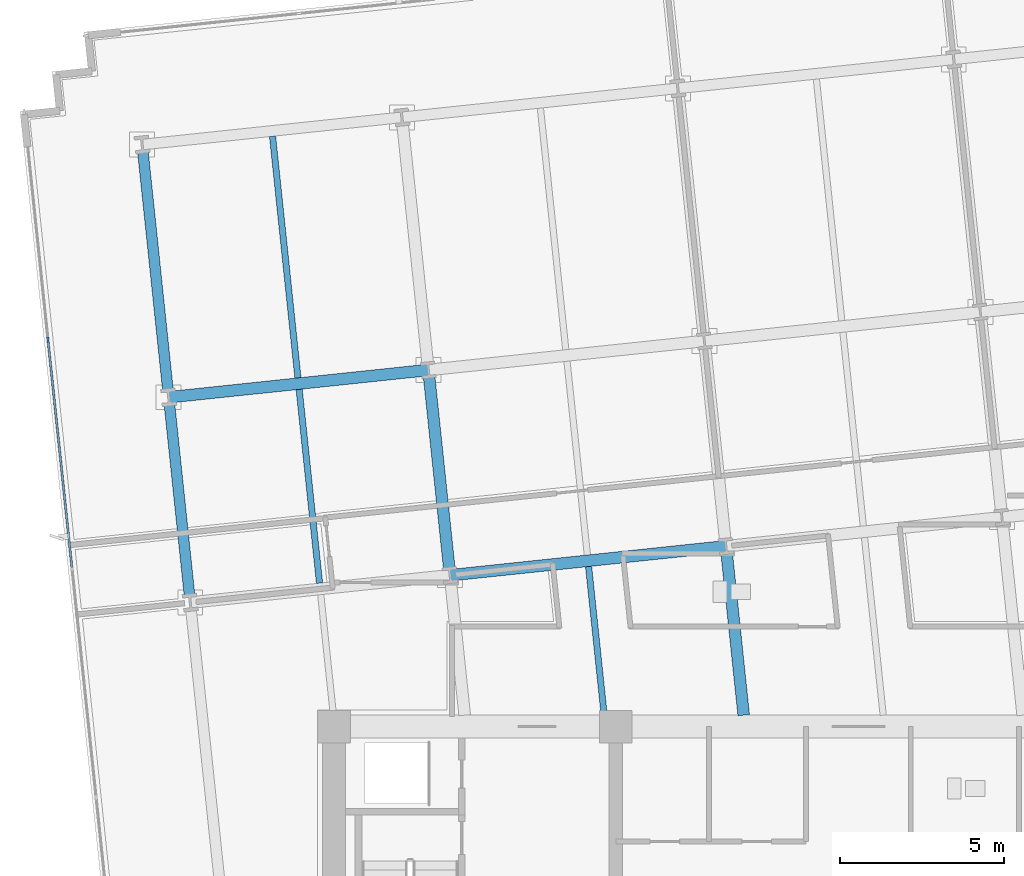
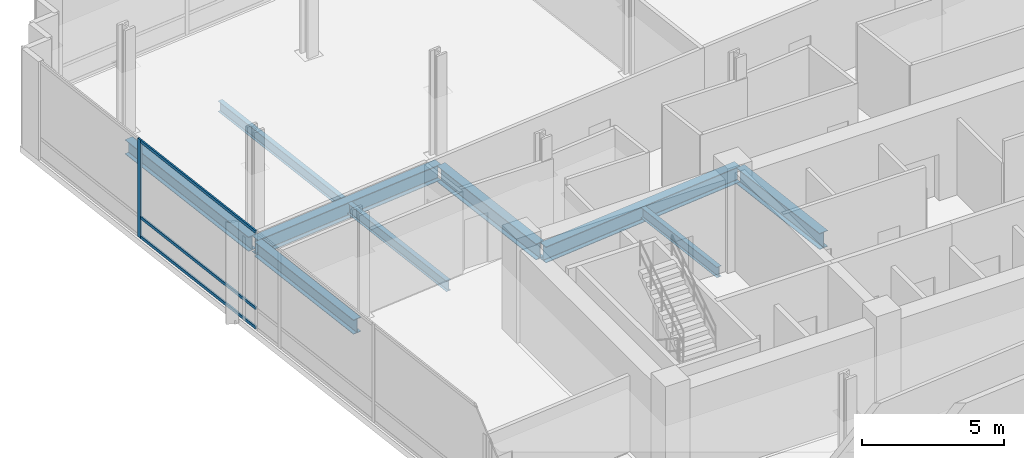
# One storey, part 4 of 20: 9 beams, 4 members, 1 element without a shape of its own.
"""IFC4 building model written with IfcOpenShell, lengths in metres."""

import ifcopenshell
import ifcopenshell.guid

model = None  # the IFC model being written
_history = None  # IfcOwnerHistory: only IFC2X3 demands one
_inside = {}  # id of a spatial element -> (the spatial element, [elements in it])
_under = {}  # id of a project, library or spatial element -> (it, [spatial elements below it])
_declared = {}  # id of a project -> (the project, [libraries it declares])
_typed = {}  # id of a type object -> (the type object, [elements of that type])
_made_of = {}  # id of a material, layer set ... -> (it, [elements and type objects made of it])


def new_model(schema):
    """Start an empty IFC model of exactly this schema.

    Asked for "IFC4X3", IfcOpenShell would pick the latest addendum, in which some entities
    have other attributes; the version numbers below select the first issue.
    IFC2X3 requires an IfcOwnerHistory on every rooted entity: one is made here for all.
    """
    global model, _history
    if schema == "IFC4X3":
        model = ifcopenshell.file(schema_version=(4, 3, 0, 0))
    else:
        model = ifcopenshell.file(schema=schema)
    _inside.clear()
    _under.clear()
    _declared.clear()
    _typed.clear()
    _made_of.clear()
    _history = None
    if model.schema == "IFC2X3":
        org = make("IfcOrganization", Name="unknown")
        user = make(
            "IfcPersonAndOrganization",
            ThePerson=make("IfcPerson", FamilyName="unknown"),
            TheOrganization=org,
        )
        app = make(
            "IfcApplication",
            ApplicationDeveloper=org,
            Version="unknown",
            ApplicationFullName="unknown",
            ApplicationIdentifier="unknown",
        )
        _history = make(
            "IfcOwnerHistory",
            OwningUser=user,
            OwningApplication=app,
            ChangeAction="ADDED",
            CreationDate=0,
        )
    return model


def make(cls, **values):
    """One entity of the class cls with the attributes given. An attribute that is None is left unset."""
    return model.create_entity(
        cls, **{name: value for name, value in values.items() if value is not None}
    )


def rooted(cls, **values):
    """An entity with a GlobalId (a new one), such as an element, a storey or a relation."""
    return make(cls, GlobalId=ifcopenshell.guid.new(), OwnerHistory=_history, **values)


def si_unit(unit_type, name, prefix=None):
    """IfcSIUnit, for example si_unit("LENGTHUNIT", "METRE", prefix="MILLI")."""
    return make("IfcSIUnit", UnitType=unit_type, Prefix=prefix, Name=name)


def assignment(units):
    """IfcUnitAssignment: the units of a project."""
    return None if units is None else make("IfcUnitAssignment", Units=units)


def point(xyz):
    """IfcCartesianPoint."""
    return None if xyz is None else make("IfcCartesianPoint", Coordinates=xyz)


def direction(xyz):
    """IfcDirection."""
    return None if xyz is None else make("IfcDirection", DirectionRatios=xyz)


def frame(location, z_axis=None, x_axis=None):
    """IfcAxis2Placement3D, a coordinate frame: its origin and axes. An axis left out is left unset."""
    return make(
        "IfcAxis2Placement3D",
        Location=point(location),
        Axis=direction(z_axis),
        RefDirection=direction(x_axis),
    )


def frame_2d(location, x_axis=None):
    """IfcAxis2Placement2D, a coordinate frame in the plane: its origin and x axis."""
    return make(
        "IfcAxis2Placement2D", Location=point(location), RefDirection=direction(x_axis)
    )


def origin():
    """The frame at (0, 0, 0) with its axes left unset."""
    return frame((0.0, 0.0, 0.0))


def origin_2d():
    """The frame at (0, 0) in the plane with its x axis left unset."""
    return frame_2d((0.0, 0.0))


def place(relative_to, where):
    """IfcLocalPlacement: puts the frame where relative to a parent placement (None: the world)."""
    return make(
        "IfcLocalPlacement", PlacementRelTo=relative_to, RelativePlacement=where
    )


def context(
    kind, dimensions, precision=None, world=None, true_north=None, identifier=None
):
    """IfcGeometricRepresentationContext, for example the 3D "Model" context."""
    return make(
        "IfcGeometricRepresentationContext",
        ContextIdentifier=identifier,
        ContextType=kind,
        CoordinateSpaceDimension=dimensions,
        Precision=precision,
        WorldCoordinateSystem=world,
        TrueNorth=true_north,
    )


def subcontext(parent, identifier, kind, view, scale=None):
    """IfcGeometricRepresentationSubContext, for example "Body" below "Model"."""
    return make(
        "IfcGeometricRepresentationSubContext",
        ContextIdentifier=identifier,
        ContextType=kind,
        ParentContext=parent,
        TargetScale=scale,
        TargetView=view,
    )


def project(units=None, contexts=None):
    """IfcProject with its units and contexts."""
    return rooted(
        "IfcProject",
        Name="project",
        RepresentationContexts=contexts,
        UnitsInContext=assignment(units),
    )


def spatial(cls, under=None, at=None, **own):
    """A site, building, storey or space (cls), placed at a placement, below another one or the project."""
    s = rooted(cls, ObjectPlacement=at, **own)
    if under is not None:
        _under.setdefault(under.id(), (under, []))[1].append(s)
    return s


def profile(cls, at=None, kind="AREA", **sizes):
    """A parametric profile (cls). Its sizes go by their IFC names, for example OverallWidth=200.0."""
    return make(cls, ProfileType=kind, Position=at, **sizes)


def rectangle(**sizes):
    """IfcRectangleProfileDef."""
    return profile("IfcRectangleProfileDef", **sizes)


def i_section(**sizes):
    """IfcIShapeProfileDef."""
    return profile("IfcIShapeProfileDef", **sizes)


def extrude(swept, where, along, depth):
    """IfcExtrudedAreaSolid: the profile swept, set in the frame where, extruded along a direction by depth."""
    return make(
        "IfcExtrudedAreaSolid",
        SweptArea=swept,
        Position=where,
        ExtrudedDirection=direction(along),
        Depth=depth,
    )


def shape(context_of_items, identifier, shape_type, items):
    """IfcShapeRepresentation: the items that make up one representation, for example the "Body"."""
    return make(
        "IfcShapeRepresentation",
        ContextOfItems=context_of_items,
        RepresentationIdentifier=identifier,
        RepresentationType=shape_type,
        Items=items,
    )


def material(Name=None, Category=None):
    """IfcMaterial."""
    return make("IfcMaterial", Name=Name, Category=Category)


def material_profile(
    of_material, cross_section, Name=None, Category=None, Priority=None
):
    """IfcMaterialProfile: a cross section and its material."""
    return make(
        "IfcMaterialProfile",
        Name=Name,
        Material=of_material,
        Profile=cross_section,
        Priority=Priority,
        Category=Category,
    )


def profile_set(profiles, Name=None, composite=None):
    """IfcMaterialProfileSet."""
    return make(
        "IfcMaterialProfileSet",
        Name=Name,
        MaterialProfiles=profiles,
        CompositeProfile=composite,
    )


def made_of(thing, what):
    """Note that an element or type object is made of a material, layer set ...; save() writes the relation."""
    if what is not None:
        _made_of.setdefault(what.id(), (what, []))[1].append(thing)
    return thing


def type_object(cls, material=None, **own):
    """A type object (cls), such as IfcWallType, which elements share."""
    return made_of(rooted(cls, **own), material)


def element(
    cls,
    number,
    at=None,
    inside=None,
    cuts=None,
    type_object=None,
    material=None,
    context=None,
    identifier="Body",
    shape_type=None,
    held_by="IfcProductDefinitionShape",
    body=None,
    shapes=None,
    **own,
):
    """One element of the class cls, such as IfcWall. Its Tag is "e" and its number.

    at: its placement. inside: the storey or other place that contains it. cuts: it is an
    opening in that element (IfcRelVoidsElement). A single representation is given by context,
    identifier, shape_type and body (its items); several are given by shapes. held_by: the class
    of the entity that holds the representations. save() writes the other relations.
    """
    e = rooted(cls, Tag="e%d" % number, ObjectPlacement=at, **own)
    if body is not None:
        shapes = [shape(context, identifier, shape_type, body)]
    if shapes is not None:
        e.Representation = make(held_by, Representations=shapes)
    if inside is not None:
        _inside.setdefault(inside.id(), (inside, []))[1].append(e)
    if cuts is not None:
        rooted(
            "IfcRelVoidsElement", RelatingBuildingElement=cuts, RelatedOpeningElement=e
        )
    if type_object is not None:
        _typed.setdefault(type_object.id(), (type_object, []))[1].append(e)
    return made_of(e, material)


def aggregate(whole, parts):
    """IfcRelAggregates: a whole, such as a stair, and the parts it consists of."""
    return rooted("IfcRelAggregates", RelatingObject=whole, RelatedObjects=parts)


def save(model, path):
    """Write the relations noted so far, then the file.

    IfcRelAggregates (storeys below a building ...), IfcRelContainedInSpatialStructure (elements
    in a storey), IfcRelDefinesByType, IfcRelAssociatesMaterial and IfcRelDeclares: one each for
    every whole, place, type object, material and project.
    """
    for whole, parts in _under.values():
        aggregate(whole, parts)
    for where, things in _inside.values():
        rooted(
            "IfcRelContainedInSpatialStructure",
            RelatedElements=things,
            RelatingStructure=where,
        )
    for kind, things in _typed.values():
        rooted("IfcRelDefinesByType", RelatedObjects=things, RelatingType=kind)
    for what, things in _made_of.values():
        rooted("IfcRelAssociatesMaterial", RelatedObjects=things, RelatingMaterial=what)
    for by, libraries in _declared.values():
        rooted("IfcRelDeclares", RelatingContext=by, RelatedDefinitions=libraries)
    model.write(path)


model = new_model("IFC4")

# Units and contexts
model_context = context("Model", 3, precision=1e-05, world=origin(), true_north=direction((0.0, 1.0)))
body_context = subcontext(model_context, "Body", "Model", "MODEL_VIEW")
ifc_project = project(units=[si_unit("LENGTHUNIT", "METRE"), si_unit("AREAUNIT", "SQUARE_METRE"), si_unit("VOLUMEUNIT", "CUBIC_METRE"), si_unit("PLANEANGLEUNIT", "RADIAN"), si_unit("MASSUNIT", "GRAM", prefix="KILO")], contexts=[model_context])

# Site, building, storey
site_placement = place(None, origin())
site = spatial("IfcSite", under=ifc_project, at=site_placement, CompositionType="ELEMENT")
building_placement = place(site_placement, origin())
building = spatial("IfcBuilding", under=site, at=building_placement, Name="Solmavex Isthmus Hotel", CompositionType="ELEMENT")
storey_placement = place(building_placement, frame((0.0, 0.0, 97.35009765625)))
storey = spatial("IfcBuildingStorey", under=building, at=storey_placement, Name="L26", CompositionType="ELEMENT", Elevation=97.35009765625)

# Beams
ifc_material_1 = material(Name="Steel ASTM A992 Grade 50", Category="steel")
ifc_material_profile_1 = material_profile(ifc_material_1, i_section(OverallWidth=0.354736328125, OverallDepth=0.695556640625, WebThickness=0.015380859375, FlangeThickness=0.02490234375, FilletRadius=0.017822265625, at=origin_2d()), Name="W27X146")
ifc_profile_set_1 = profile_set([ifc_material_profile_1], Name="Steel ASTM A992 Grade 50")
beam_type_1 = type_object("IfcBeamType", Name="BM-BG-W27X146", PredefinedType="BEAM", material=ifc_profile_set_1)
beam_1_placement = place(storey_placement, frame((-12.458740234375, 2.11865234375, -0.60791015625), z_axis=(0.994521085209, 0.104536171134, 0.0), x_axis=(-0.104536171134, 0.994521085209, 0.0)))
element("IfcBeam", 1, at=beam_1_placement, inside=storey, type_object=beam_type_1, Name="Floor Girder L26-UG08", PredefinedType="BEAM", context=body_context, shape_type="SweptSolid", body=[
    extrude(i_section(OverallWidth=0.354736328125, OverallDepth=0.695556640625, WebThickness=0.015380859375, FlangeThickness=0.02490234375, FilletRadius=0.017822265625, at=origin_2d()), origin(), (0.0, 0.0, 1.0), 8.466064453125),
])
beam_2_placement = place(storey_placement, frame((-21.04150390625, 7.54931640625, -0.60791015625), z_axis=(0.994523402738, 0.104514120609, 0.0), x_axis=(-0.104514120609, 0.994523402738, 0.0)))
element("IfcBeam", 2, at=beam_2_placement, inside=storey, type_object=beam_type_1, Name="Floor Girder L26-UG13", PredefinedType="BEAM", context=body_context, shape_type="SweptSolid", body=[
    extrude(i_section(OverallWidth=0.354736328125, OverallDepth=0.695556640625, WebThickness=0.015380859375, FlangeThickness=0.02490234375, FilletRadius=0.017822265625, at=origin_2d()), origin(), (0.0, 0.0, 1.0), 7.968017578125),
])
beam_3_placement = place(storey_placement, frame((-12.477294921875, 2.295166015625, -0.60791015625), z_axis=(-0.104545790518, 0.994520074048, 0.0), x_axis=(-0.994520074048, -0.104545790518, 0.0)))
element("IfcBeam", 3, at=beam_3_placement, inside=storey, type_object=beam_type_1, Name="Floor Beam L26-VG30", PredefinedType="BEAM", context=body_context, shape_type="SweptSolid", body=[
    extrude(i_section(OverallWidth=0.354736328125, OverallDepth=0.695556640625, WebThickness=0.015380859375, FlangeThickness=0.02490234375, FilletRadius=0.017822265625, at=origin_2d()), origin(), (0.0, 0.0, 1.0), 5.943115234375),
])
beam_4_placement = place(storey_placement, frame((-3.49755859375, -2.14990234375, -0.60791015625), z_axis=(-0.104496861251, 0.994525216366, 0.0), x_axis=(-0.994525216366, -0.104496861251, 0.0)))
element("IfcBeam", 4, at=beam_4_placement, inside=storey, type_object=beam_type_1, Name="Floor Beam L26-VG33", PredefinedType="BEAM", context=body_context, shape_type="SweptSolid", body=[
    extrude(i_section(OverallWidth=0.354736328125, OverallDepth=0.695556640625, WebThickness=0.015380859375, FlangeThickness=0.02490234375, FilletRadius=0.017822265625, at=origin_2d()), origin(), (0.0, 0.0, 1.0), 5.00439453125),
])
ifc_material_profile_2 = material_profile(ifc_material_1, i_section(OverallWidth=0.1904296875, OverallDepth=0.456787109375, WebThickness=0.009033203125, FlangeThickness=0.014404296875, FilletRadius=0.0126953125, at=origin_2d()), Name="W18X50")
ifc_profile_set_2 = profile_set([ifc_material_profile_2], Name="Steel ASTM A992 Grade 50")
beam_type_2 = type_object("IfcBeamType", Name="BM-BJ-W18X50", PredefinedType="JOIST", material=ifc_profile_set_2)
beam_5_placement = place(storey_placement, frame((-16.439453125, 1.878662109375, -0.488525390625), z_axis=(-0.104545790518, 0.994520074048, 0.0), x_axis=(-0.994520074048, -0.104545790518, 0.0)))
element("IfcBeam", 5, at=beam_5_placement, inside=storey, type_object=beam_type_2, Name="Secondary Floor Joist L26-J03", PredefinedType="JOIST", context=body_context, shape_type="SweptSolid", body=[
    extrude(i_section(OverallWidth=0.1904296875, OverallDepth=0.456787109375, WebThickness=0.009033203125, FlangeThickness=0.014404296875, FilletRadius=0.0126953125, at=origin_2d()), origin(), (0.0, 0.0, 1.0), 5.943115234375),
])
beam_6_placement = place(storey_placement, frame((-17.097900390625, 8.14208984375, -0.488525390625), z_axis=(-0.104525307271, 0.994522227072, 0.0), x_axis=(-0.994522227072, -0.104525307271, 0.0)))
element("IfcBeam", 6, at=beam_6_placement, inside=storey, type_object=beam_type_2, Name="Secondary Floor Joist L26-J04", PredefinedType="JOIST", context=body_context, shape_type="SweptSolid", body=[
    extrude(i_section(OverallWidth=0.1904296875, OverallDepth=0.456787109375, WebThickness=0.009033203125, FlangeThickness=0.014404296875, FilletRadius=0.0126953125, at=origin_2d()), origin(), (0.0, 0.0, 1.0), 7.4111328125),
])
beam_7_placement = place(storey_placement, frame((-7.75390625, -2.14990234375, -0.488525390625), z_axis=(-0.104517550263, 0.994523042311, 0.0), x_axis=(-0.994523042311, -0.104517550263, 0.0)))
element("IfcBeam", 7, at=beam_7_placement, inside=storey, type_object=beam_type_2, Name="Secondary Floor Joist L26-J06", PredefinedType="JOIST", context=body_context, shape_type="SweptSolid", body=[
    extrude(i_section(OverallWidth=0.1904296875, OverallDepth=0.456787109375, WebThickness=0.009033203125, FlangeThickness=0.014404296875, FilletRadius=0.0126953125, at=origin_2d()), origin(), (0.0, 0.0, 1.0), 4.5595703125),
])
ifc_material_profile_3 = material_profile(ifc_material_1, i_section(OverallWidth=0.326416015625, OverallDepth=0.621826171875, WebThickness=0.015380859375, FlangeThickness=0.0244140625, FilletRadius=0.01513671875, at=origin_2d()), Name="W24X131")
ifc_profile_set_3 = profile_set([ifc_material_profile_3], Name="Steel ASTM A992 Grade 50")
beam_type_3 = type_object("IfcBeamType", Name="BM-SP-W24X131", PredefinedType="SPANDREL", material=ifc_profile_set_3)
beam_8_placement = place(storey_placement, frame((-20.401611328125, 1.462158203125, -0.571044921875), z_axis=(-0.104545790518, 0.994520074048, 0.0), x_axis=(-0.994520074048, -0.104545790518, 0.0)))
element("IfcBeam", 8, at=beam_8_placement, inside=storey, type_object=beam_type_3, Name="Floor Beam L26-VG26", PredefinedType="SPANDREL", context=body_context, shape_type="SweptSolid", body=[
    extrude(i_section(OverallWidth=0.326416015625, OverallDepth=0.621826171875, WebThickness=0.015380859375, FlangeThickness=0.0244140625, FilletRadius=0.01513671875, at=origin_2d()), origin(), (0.0, 0.0, 1.0), 5.943115234375),
])
beam_9_placement = place(storey_placement, frame((-21.06005859375, 7.7255859375, -0.571044921875), z_axis=(-0.10452188296, 0.994522586964, 0.0), x_axis=(-0.994522586964, -0.10452188296, 0.0)))
element("IfcBeam", 9, at=beam_9_placement, inside=storey, type_object=beam_type_3, Name="Floor Beam L26-VG27", PredefinedType="SPANDREL", context=body_context, shape_type="SweptSolid", body=[
    extrude(i_section(OverallWidth=0.326416015625, OverallDepth=0.621826171875, WebThickness=0.015380859375, FlangeThickness=0.0244140625, FilletRadius=0.01513671875, at=origin_2d()), origin(), (0.0, 0.0, 1.0), 7.411376953125),
])

# Curtain wall, members
ifc_material_2 = material(Name="Aluminium alloy 6063-T6", Category="aluminium")
curtain_wall_type = type_object("IfcCurtainWallType", Name="CW-SYS-05", PredefinedType="NOTDEFINED", material=ifc_material_2)
curtain_wall_placement = place(storey_placement, origin())
curtain_wall = element("IfcCurtainWall", 10, at=curtain_wall_placement, inside=storey, type_object=curtain_wall_type, Name="Stick Curtain Wall CWL-L26-W1", PredefinedType="NOTDEFINED")
ifc_material_profile_4 = material_profile(ifc_material_2, rectangle(XDim=0.06494140625, YDim=0.159912109375, at=origin_2d()), Name="CWM-65X160")
ifc_profile_set_4 = profile_set([ifc_material_profile_4], Name="Aluminium alloy 6063-T6")
member_type_1 = type_object("IfcMemberType", Name="CW-SYS-05-MUL", PredefinedType="MULLION", material=ifc_profile_set_4)
member_1_placement = place(storey_placement, frame((-24.725341796875, 9.305908203125, 0.0), z_axis=(0.0, 0.0, 1.0), x_axis=(-0.994521893044, -0.104528485381, 0.0)))
member_1 = element("IfcMember", 11, at=member_1_placement, type_object=member_type_1, Name="CW-05 mullion 5", PredefinedType="MULLION", context=body_context, shape_type="SweptSolid", body=[
    extrude(rectangle(XDim=0.06494140625, YDim=0.159912109375, at=origin_2d()), origin(), (0.0, 0.0, 1.0), 4.239990234375),
])
ifc_material_profile_5 = material_profile(ifc_material_2, rectangle(XDim=0.06494140625, YDim=0.125, at=origin_2d()), Name="CWT-65X125")
ifc_profile_set_5 = profile_set([ifc_material_profile_5], Name="Aluminium alloy 6063-T6")
member_type_2 = type_object("IfcMemberType", Name="CW-SYS-05-TRN", PredefinedType="USERDEFINED", material=ifc_profile_set_5)
member_2_placement = place(storey_placement, frame((-23.994873046875, 2.356689453125, 0.0625), z_axis=(-0.104538598424, 0.994520830068, 0.0), x_axis=(-0.994520830068, -0.104538598424, 0.0)))
member_2 = element("IfcMember", 12, at=member_2_placement, type_object=member_type_2, Name="CW-05 transom 4.1", ObjectType="TRANSOM", PredefinedType="USERDEFINED", context=body_context, shape_type="SweptSolid", body=[
    extrude(rectangle(XDim=0.06494140625, YDim=0.125, at=origin_2d()), origin(), (0.0, 0.0, 1.0), 6.954833984375),
])
member_3_placement = place(storey_placement, frame((-23.994873046875, 2.356689453125, 0.89990234375), z_axis=(-0.104538598424, 0.994520830068, 0.0), x_axis=(-0.994520830068, -0.104538598424, 0.0)))
member_3 = element("IfcMember", 13, at=member_3_placement, type_object=member_type_2, Name="CW-05 transom 4.2", ObjectType="TRANSOM", PredefinedType="USERDEFINED", context=body_context, shape_type="SweptSolid", body=[
    extrude(rectangle(XDim=0.06494140625, YDim=0.125, at=origin_2d()), origin(), (0.0, 0.0, 1.0), 6.954833984375),
])
member_4_placement = place(storey_placement, frame((-23.994873046875, 2.356689453125, 4.177490234375), z_axis=(-0.104538598424, 0.994520830068, 0.0), x_axis=(-0.994520830068, -0.104538598424, 0.0)))
member_4 = element("IfcMember", 14, at=member_4_placement, type_object=member_type_2, Name="CW-05 transom 4.3", ObjectType="TRANSOM", PredefinedType="USERDEFINED", context=body_context, shape_type="SweptSolid", body=[
    extrude(rectangle(XDim=0.06494140625, YDim=0.125, at=origin_2d()), origin(), (0.0, 0.0, 1.0), 6.954833984375),
])
aggregate(curtain_wall, [member_1, member_2, member_3, member_4])

save(model, "model.ifc")
